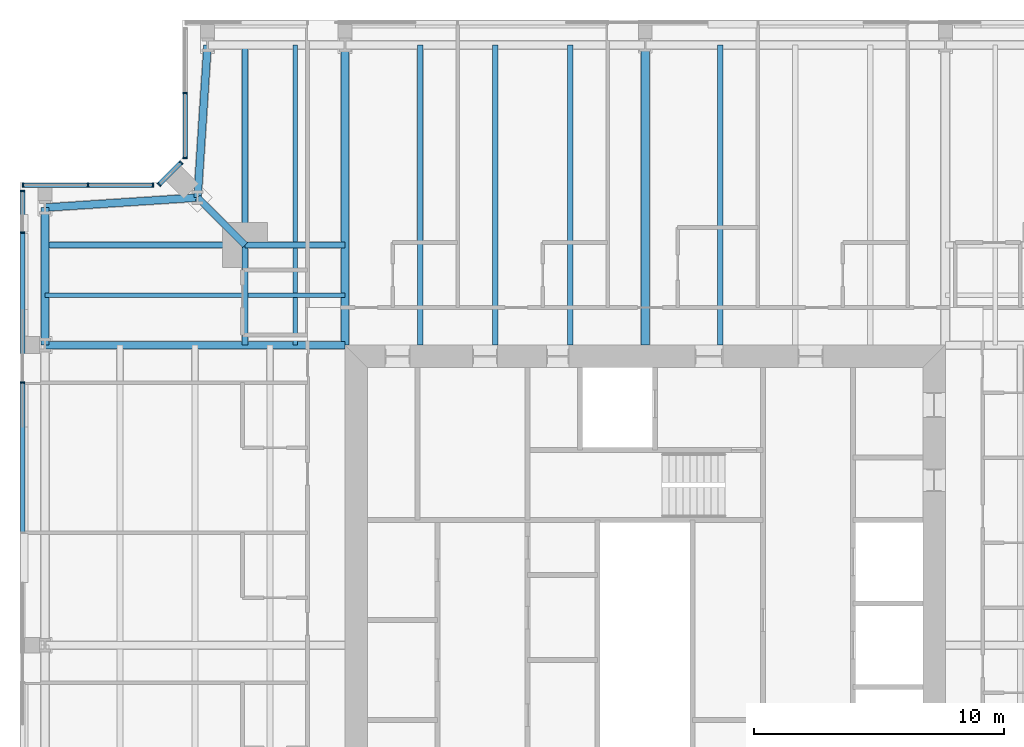
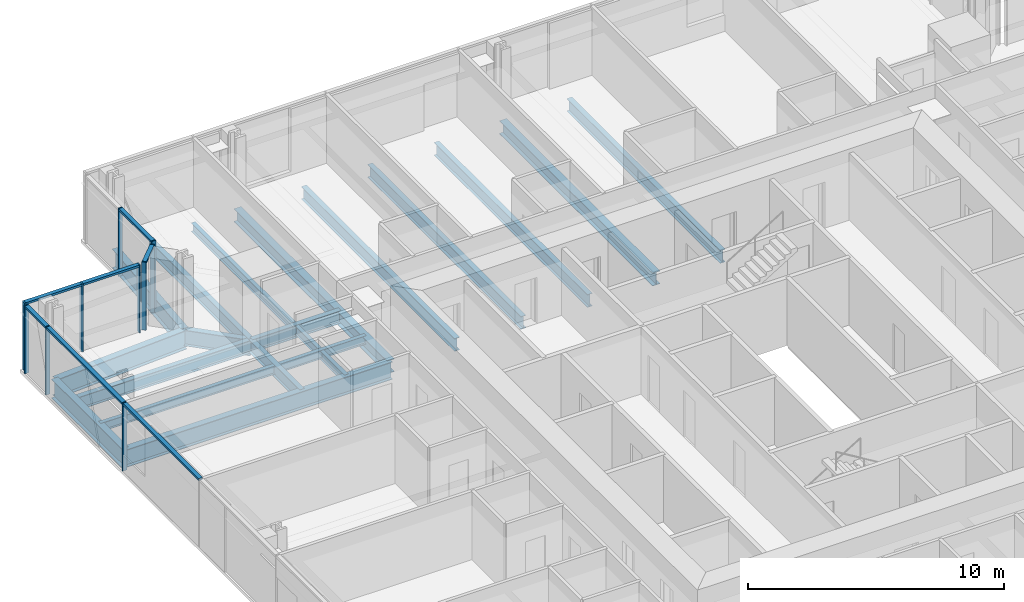
# One storey, part 7 of 20: 20 beams, 17 members, 4 elements without a shape of their own.
"""IFC4 building model written with IfcOpenShell, lengths in metres."""

from ifc_helpers import new_model, si_unit, direction, frame, origin, origin_2d, place, context, subcontext, project, spatial, rectangle, i_section, extrude, material, material_profile, profile_set, type_object, element, aggregate, save


model = new_model("IFC4")

# Units and contexts
model_context = context("Model", 3, precision=1e-05, world=origin(), true_north=direction((0.0, 1.0)))
body_context = subcontext(model_context, "Body", "Model", "MODEL_VIEW")
ifc_project = project(units=[si_unit("LENGTHUNIT", "METRE"), si_unit("AREAUNIT", "SQUARE_METRE"), si_unit("VOLUMEUNIT", "CUBIC_METRE"), si_unit("PLANEANGLEUNIT", "RADIAN"), si_unit("MASSUNIT", "GRAM", prefix="KILO")], contexts=[model_context])

# Site, building, storey
site_placement = place(None, origin())
site = spatial("IfcSite", under=ifc_project, at=site_placement, CompositionType="ELEMENT")
building_placement = place(site_placement, origin())
building = spatial("IfcBuilding", under=site, at=building_placement, Name="Fenwick Lantern Interchange", CompositionType="ELEMENT")
storey_placement = place(building_placement, frame((0.0, 0.0, 245.800048828125)))
storey = spatial("IfcBuildingStorey", under=building, at=storey_placement, Name="L57", CompositionType="ELEMENT", Elevation=245.800048828125)

# Beams
ifc_material_1 = material(Name="Steel ASTM A992 Grade 50", Category="steel")
ifc_material_profile_1 = material_profile(ifc_material_1, i_section(OverallWidth=0.3046875, OverallDepth=0.911865234375, WebThickness=0.015869140625, FlangeThickness=0.02392578125, at=origin_2d()), Name="W36X150")
ifc_profile_set_1 = profile_set([ifc_material_profile_1], Name="Steel ASTM A992 Grade 50")
beam_type_1 = type_object("IfcBeamType", Name="EDGE BEAM W36X150", PredefinedType="SPANDREL", material=ifc_profile_set_1)
for number, where, z_axis, x_axis, name in (
    (1, (7.5, 49.0, -0.60595703125), (-0.065416293237, -0.997858060337, 0.0), (0.997858060337, -0.065416293237, 0.0), "L57/FR/N/EBR1"),
    (2, (7.10009765625, 42.89990234375, -0.60595703125), (-0.997858060337, -0.065416293237, 0.0), (0.065416293237, -0.997858060337, 0.0), "L57/FR/N/EBR2"),
):
    element("IfcBeam", number, at=place(storey_placement, frame(where, z_axis=z_axis, x_axis=x_axis)), inside=storey, type_object=beam_type_1, Name=name, PredefinedType="SPANDREL", context=body_context, shape_type="SweptSolid", body=[
        extrude(i_section(OverallWidth=0.3046875, OverallDepth=0.911865234375, WebThickness=0.015869140625, FlangeThickness=0.02392578125, at=origin_2d()), origin(), (0.0, 0.0, 1.0), 6.11328125),
    ])
beam_1_placement = place(storey_placement, frame((1.0, 42.5, -0.60595703125), z_axis=(0.0, -1.0, 0.0), x_axis=(1.0, 0.0, 0.0)))
element("IfcBeam", 3, at=beam_1_placement, inside=storey, type_object=beam_type_1, Name="L57/FR/W/EB1", PredefinedType="SPANDREL", context=body_context, shape_type="SweptSolid", body=[
    extrude(i_section(OverallWidth=0.3046875, OverallDepth=0.911865234375, WebThickness=0.015869140625, FlangeThickness=0.02392578125, at=origin_2d()), origin(), (0.0, 0.0, 1.0), 5.5),
])
ifc_material_profile_2 = material_profile(ifc_material_1, i_section(OverallWidth=0.22900390625, OverallDepth=0.612060546875, WebThickness=0.011962890625, FlangeThickness=0.01953125, at=origin_2d()), Name="W24X84")
ifc_profile_set_2 = profile_set([ifc_material_profile_2], Name="Steel ASTM A992 Grade 50")
beam_type_2 = type_object("IfcBeamType", Name="FLOOR BEAM W24X84", PredefinedType="BEAM", material=ifc_profile_set_2)
for number, where, z_axis, x_axis, name in (
    (4, (28.0, 49.0, -0.4560546875), (0.0, -1.0, 0.0), (1.0, 0.0, 0.0), "L57/FR/N/R04"),
    (5, (22.0, 49.0, -0.4560546875), (0.0, -1.0, 0.0), (1.0, 0.0, 0.0), "L57/FR/N/R06"),
    (6, (19.0, 49.0, -0.4560546875), (0.0, -1.0, 0.0), (1.0, 0.0, 0.0), "L57/FR/N/R07"),
    (7, (16.0, 49.0, -0.4560546875), (0.0, -1.0, 0.0), (1.0, 0.0, 0.0), "L57/FR/N/R08"),
):
    element("IfcBeam", number, at=place(storey_placement, frame(where, z_axis=z_axis, x_axis=x_axis)), inside=storey, type_object=beam_type_2, Name=name, PredefinedType="BEAM", context=body_context, shape_type="SweptSolid", body=[
        extrude(i_section(OverallWidth=0.22900390625, OverallDepth=0.612060546875, WebThickness=0.011962890625, FlangeThickness=0.01953125, at=origin_2d()), origin(), (0.0, 0.0, 1.0), 12.0),
    ])

# Curtain wall, members
ifc_material_2 = material(Name="Aluminium curtain wall frame", Category="aluminium")
curtain_wall_type = type_object("IfcCurtainWallType", Name="HOTEL CURTAIN WALL", PredefinedType="USERDEFINED", material=ifc_material_2)
curtain_wall_1_placement = place(storey_placement, origin())
curtain_wall_1 = element("IfcCurtainWall", 8, at=curtain_wall_1_placement, inside=storey, type_object=curtain_wall_type, Name="Hotel curtain wall 10", ObjectType="HOTEL CURTAIN WALL", PredefinedType="USERDEFINED")
ifc_material_3 = material(Name="Aluminium extrusion", Category="aluminium")
ifc_material_profile_3 = material_profile(ifc_material_3, rectangle(XDim=0.179931640625, YDim=0.06005859375, at=origin_2d()), Name="HOTEL CURTAIN WALL MULLION 60 X 180")
ifc_profile_set_3 = profile_set([ifc_material_profile_3], Name="Aluminium extrusion")
member_type_1 = type_object("IfcMemberType", Name="HOTEL CURTAIN WALL MULLION 60 X 180", PredefinedType="MULLION", material=ifc_profile_set_3)
member_1_placement = place(storey_placement, frame((6.60009765625, 47.079345703125, 0.0), z_axis=(0.0, 0.0, 1.0), x_axis=(1.0, 0.0, 0.0)))
member_1 = element("IfcMember", 9, at=member_1_placement, type_object=member_type_1, Name="L57/CW/10/M01", PredefinedType="MULLION", context=body_context, shape_type="SweptSolid", body=[
    extrude(rectangle(XDim=0.179931640625, YDim=0.06005859375, at=origin_2d()), origin(), (0.0, 0.0, 1.0), 3.25),
])
member_2_placement = place(storey_placement, frame((6.60009765625, 44.488525390625, 0.0), z_axis=(0.0, 0.0, 1.0), x_axis=(1.0, 0.0, 0.0)))
member_2 = element("IfcMember", 10, at=member_2_placement, type_object=member_type_1, Name="L57/CW/10/M02", PredefinedType="MULLION", context=body_context, shape_type="SweptSolid", body=[
    extrude(rectangle(XDim=0.179931640625, YDim=0.06005859375, at=origin_2d()), origin(), (0.0, 0.0, 1.0), 3.25),
])

curtain_wall_2_placement = place(storey_placement, origin())
curtain_wall_2 = element("IfcCurtainWall", 11, at=curtain_wall_2_placement, inside=storey, type_object=curtain_wall_type, Name="Hotel curtain wall 11", ObjectType="HOTEL CURTAIN WALL", PredefinedType="USERDEFINED")
member_3_placement = place(storey_placement, frame((6.437255859375, 44.2958984375, 0.0), z_axis=(0.0, 0.0, 1.0), x_axis=(0.707106781187, -0.707106781187, 0.0)))
member_3 = element("IfcMember", 12, at=member_3_placement, type_object=member_type_1, Name="L57/CW/11/M00", PredefinedType="MULLION", context=body_context, shape_type="SweptSolid", body=[
    extrude(rectangle(XDim=0.179931640625, YDim=0.06005859375, at=origin_2d()), origin(), (0.0, 0.0, 1.0), 3.25),
])
member_4_placement = place(storey_placement, frame((5.562744140625, 43.421142578125, 0.0), z_axis=(0.0, 0.0, 1.0), x_axis=(0.707106781187, -0.707106781187, 0.0)))
member_4 = element("IfcMember", 13, at=member_4_placement, type_object=member_type_1, Name="L57/CW/11/M01", PredefinedType="MULLION", context=body_context, shape_type="SweptSolid", body=[
    extrude(rectangle(XDim=0.179931640625, YDim=0.06005859375, at=origin_2d()), origin(), (0.0, 0.0, 1.0), 3.25),
])

curtain_wall_3_placement = place(storey_placement, origin())
curtain_wall_3 = element("IfcCurtainWall", 14, at=curtain_wall_3_placement, inside=storey, type_object=curtain_wall_type, Name="Hotel curtain wall 12", ObjectType="HOTEL CURTAIN WALL", PredefinedType="USERDEFINED")
member_5_placement = place(storey_placement, frame((5.3115234375, 43.39990234375, 0.0), z_axis=(0.0, 0.0, 1.0), x_axis=(0.0, -1.0, 0.0)))
member_5 = element("IfcMember", 15, at=member_5_placement, type_object=member_type_1, Name="L57/CW/12/M00", PredefinedType="MULLION", context=body_context, shape_type="SweptSolid", body=[
    extrude(rectangle(XDim=0.179931640625, YDim=0.06005859375, at=origin_2d()), origin(), (0.0, 0.0, 1.0), 3.25),
])
member_6_placement = place(storey_placement, frame((2.720703125, 43.39990234375, 0.0), z_axis=(0.0, 0.0, 1.0), x_axis=(0.0, -1.0, 0.0)))
member_6 = element("IfcMember", 16, at=member_6_placement, type_object=member_type_1, Name="L57/CW/12/M01", PredefinedType="MULLION", context=body_context, shape_type="SweptSolid", body=[
    extrude(rectangle(XDim=0.179931640625, YDim=0.06005859375, at=origin_2d()), origin(), (0.0, 0.0, 1.0), 3.25),
])
member_7_placement = place(storey_placement, frame((0.1298828125, 43.39990234375, 0.0), z_axis=(0.0, 0.0, 1.0), x_axis=(0.0, -1.0, 0.0)))
member_7 = element("IfcMember", 17, at=member_7_placement, type_object=member_type_1, Name="L57/CW/12/M02", PredefinedType="MULLION", context=body_context, shape_type="SweptSolid", body=[
    extrude(rectangle(XDim=0.179931640625, YDim=0.06005859375, at=origin_2d()), origin(), (0.0, 0.0, 1.0), 3.25),
])

curtain_wall_4_placement = place(storey_placement, origin())
curtain_wall_4 = element("IfcCurtainWall", 18, at=curtain_wall_4_placement, inside=storey, type_object=curtain_wall_type, Name="Hotel curtain wall 13", ObjectType="HOTEL CURTAIN WALL", PredefinedType="USERDEFINED")
member_8_placement = place(storey_placement, frame((0.10009765625, 43.169921875, 0.0), z_axis=(0.0, 0.0, 1.0), x_axis=(1.0, 0.0, 0.0)))
member_8 = element("IfcMember", 19, at=member_8_placement, type_object=member_type_1, Name="L57/CW/13/M00", PredefinedType="MULLION", context=body_context, shape_type="SweptSolid", body=[
    extrude(rectangle(XDim=0.179931640625, YDim=0.06005859375, at=origin_2d()), origin(), (0.0, 0.0, 1.0), 3.25),
])
member_9_placement = place(storey_placement, frame((0.10009765625, 41.5, 0.0), z_axis=(0.0, 0.0, 1.0), x_axis=(1.0, 0.0, 0.0)))
member_9 = element("IfcMember", 20, at=member_9_placement, type_object=member_type_1, Name="L57/CW/13/M01", PredefinedType="MULLION", context=body_context, shape_type="SweptSolid", body=[
    extrude(rectangle(XDim=0.179931640625, YDim=0.06005859375, at=origin_2d()), origin(), (0.0, 0.0, 1.0), 3.25),
])
member_10_placement = place(storey_placement, frame((0.10009765625, 35.5, 0.0), z_axis=(0.0, 0.0, 1.0), x_axis=(1.0, 0.0, 0.0)))
member_10 = element("IfcMember", 21, at=member_10_placement, type_object=member_type_1, Name="L57/CW/13/M02", PredefinedType="MULLION", context=body_context, shape_type="SweptSolid", body=[
    extrude(rectangle(XDim=0.179931640625, YDim=0.06005859375, at=origin_2d()), origin(), (0.0, 0.0, 1.0), 3.25),
])

# Member
ifc_material_profile_4 = material_profile(ifc_material_3, rectangle(XDim=0.179931640625, YDim=0.10009765625, at=origin_2d()), Name="HOTEL CURTAIN WALL TRANSOM 100 X 180")
ifc_profile_set_4 = profile_set([ifc_material_profile_4], Name="Aluminium extrusion")
member_type_2 = type_object("IfcMemberType", Name="HOTEL CURTAIN WALL TRANSOM 100 X 180", PredefinedType="MULLION", material=ifc_profile_set_4)
member_11_placement = place(storey_placement, frame((6.60009765625, 47.04931640625, 3.199951171875), z_axis=(0.0, -1.0, 0.0), x_axis=(1.0, 0.0, 0.0)))
member_11 = element("IfcMember", 22, at=member_11_placement, type_object=member_type_2, Name="L57/CW/10/T01", PredefinedType="MULLION", context=body_context, shape_type="SweptSolid", body=[
    extrude(rectangle(XDim=0.179931640625, YDim=0.10009765625, at=origin_2d()), origin(), (0.0, 0.0, 1.0), 2.53076171875),
])

aggregate(curtain_wall_1, [member_1, member_2, member_11])

member_12_placement = place(storey_placement, frame((6.416259765625, 44.274658203125, 3.199951171875), z_axis=(-0.707210470133, -0.707003077033, 0.0), x_axis=(0.707003077033, -0.707210470133, 0.0)))
member_12 = element("IfcMember", 23, at=member_12_placement, type_object=member_type_2, Name="L57/CW/11/T00", PredefinedType="MULLION", context=body_context, shape_type="SweptSolid", body=[
    extrude(rectangle(XDim=0.179931640625, YDim=0.10009765625, at=origin_2d()), origin(), (0.0, 0.0, 1.0), 1.17724609375),
])

aggregate(curtain_wall_2, [member_3, member_4, member_12])

member_13_placement = place(storey_placement, frame((5.281494140625, 43.39990234375, 3.199951171875), z_axis=(-1.0, 0.0, 0.0), x_axis=(0.0, -1.0, 0.0)))
member_13 = element("IfcMember", 24, at=member_13_placement, type_object=member_type_2, Name="L57/CW/12/T00", PredefinedType="MULLION", context=body_context, shape_type="SweptSolid", body=[
    extrude(rectangle(XDim=0.179931640625, YDim=0.10009765625, at=origin_2d()), origin(), (0.0, 0.0, 1.0), 2.53076171875),
])

member_14_placement = place(storey_placement, frame((2.690673828125, 43.39990234375, 3.199951171875), z_axis=(-1.0, 0.0, 0.0), x_axis=(0.0, -1.0, 0.0)))
member_14 = element("IfcMember", 25, at=member_14_placement, type_object=member_type_2, Name="L57/CW/12/T01", PredefinedType="MULLION", context=body_context, shape_type="SweptSolid", body=[
    extrude(rectangle(XDim=0.179931640625, YDim=0.10009765625, at=origin_2d()), origin(), (0.0, 0.0, 1.0), 2.53076171875),
])

aggregate(curtain_wall_3, [member_5, member_6, member_7, member_13, member_14])

member_15_placement = place(storey_placement, frame((0.10009765625, 43.139892578125, 3.199951171875), z_axis=(0.0, -1.0, 0.0), x_axis=(1.0, 0.0, 0.0)))
member_15 = element("IfcMember", 26, at=member_15_placement, type_object=member_type_2, Name="L57/CW/13/T00", PredefinedType="MULLION", context=body_context, shape_type="SweptSolid", body=[
    extrude(rectangle(XDim=0.179931640625, YDim=0.10009765625, at=origin_2d()), origin(), (0.0, 0.0, 1.0), 1.60986328125),
])

member_16_placement = place(storey_placement, frame((0.10009765625, 41.469970703125, 3.199951171875), z_axis=(0.0, -1.0, 0.0), x_axis=(1.0, 0.0, 0.0)))
member_16 = element("IfcMember", 27, at=member_16_placement, type_object=member_type_2, Name="L57/CW/13/T01", PredefinedType="MULLION", context=body_context, shape_type="SweptSolid", body=[
    extrude(rectangle(XDim=0.179931640625, YDim=0.10009765625, at=origin_2d()), origin(), (0.0, 0.0, 1.0), 5.93994140625),
])

member_17_placement = place(storey_placement, frame((0.10009765625, 35.469970703125, 3.199951171875), z_axis=(0.0, -1.0, 0.0), x_axis=(1.0, 0.0, 0.0)))
member_17 = element("IfcMember", 28, at=member_17_placement, type_object=member_type_2, Name="L57/CW/13/T02", PredefinedType="MULLION", context=body_context, shape_type="SweptSolid", body=[
    extrude(rectangle(XDim=0.179931640625, YDim=0.10009765625, at=origin_2d()), origin(), (0.0, 0.0, 1.0), 5.93994140625),
])

aggregate(curtain_wall_4, [member_8, member_9, member_10, member_15, member_16, member_17])

# Beams
ifc_material_profile_5 = material_profile(ifc_material_1, i_section(OverallWidth=0.177734375, OverallDepth=0.406494140625, WebThickness=0.0078125, FlangeThickness=0.012939453125, at=origin_2d()), Name="W16X40")
ifc_profile_set_5 = profile_set([ifc_material_profile_5], Name="Steel ASTM A992 Grade 50")
beam_type_3 = type_object("IfcBeamType", Name="INFILL BEAM W16X40", PredefinedType="JOIST", material=ifc_profile_set_5)
beam_2_placement = place(storey_placement, frame((1.0, 39.0, -0.353271484375), z_axis=(1.0, 0.0, 0.0), x_axis=(0.0, 1.0, 0.0)))
element("IfcBeam", 29, at=beam_2_placement, inside=storey, type_object=beam_type_3, Name="L57/FR/W/J1", PredefinedType="JOIST", context=body_context, shape_type="SweptSolid", body=[
    extrude(i_section(OverallWidth=0.177734375, OverallDepth=0.406494140625, WebThickness=0.0078125, FlangeThickness=0.012939453125, at=origin_2d()), origin(), (0.0, 0.0, 1.0), 7.885498046875),
])
beam_3_placement = place(storey_placement, frame((9.114501953125, 39.0, -0.353271484375), z_axis=(1.0, 0.0, 0.0), x_axis=(0.0, 1.0, 0.0)))
element("IfcBeam", 30, at=beam_3_placement, inside=storey, type_object=beam_type_3, Name="L57/FR/W/J2", PredefinedType="JOIST", context=body_context, shape_type="SweptSolid", body=[
    extrude(i_section(OverallWidth=0.177734375, OverallDepth=0.406494140625, WebThickness=0.0078125, FlangeThickness=0.012939453125, at=origin_2d()), origin(), (0.0, 0.0, 1.0), 3.885498046875),
])
beam_4_placement = place(storey_placement, frame((11.0, 49.0, -0.353271484375), z_axis=(0.0, -1.0, 0.0), x_axis=(1.0, 0.0, 0.0)))
element("IfcBeam", 31, at=beam_4_placement, inside=storey, type_object=beam_type_3, Name="L57/FR/W/J3", PredefinedType="JOIST", context=body_context, shape_type="SweptSolid", body=[
    extrude(i_section(OverallWidth=0.177734375, OverallDepth=0.406494140625, WebThickness=0.0078125, FlangeThickness=0.012939453125, at=origin_2d()), origin(), (0.0, 0.0, 1.0), 7.885498046875),
])
beam_5_placement = place(storey_placement, frame((11.0, 40.885498046875, -0.353271484375), z_axis=(0.0, -1.0, 0.0), x_axis=(1.0, 0.0, 0.0)))
element("IfcBeam", 32, at=beam_5_placement, inside=storey, type_object=beam_type_3, Name="L57/FR/W/J4", PredefinedType="JOIST", context=body_context, shape_type="SweptSolid", body=[
    extrude(i_section(OverallWidth=0.177734375, OverallDepth=0.406494140625, WebThickness=0.0078125, FlangeThickness=0.012939453125, at=origin_2d()), origin(), (0.0, 0.0, 1.0), 1.796630859375),
])
beam_6_placement = place(storey_placement, frame((11.0, 38.9111328125, -0.353271484375), z_axis=(0.0, -1.0, 0.0), x_axis=(1.0, 0.0, 0.0)))
element("IfcBeam", 33, at=beam_6_placement, inside=storey, type_object=beam_type_3, Name="L57/FR/W/J5", PredefinedType="JOIST", context=body_context, shape_type="SweptSolid", body=[
    extrude(i_section(OverallWidth=0.177734375, OverallDepth=0.406494140625, WebThickness=0.0078125, FlangeThickness=0.012939453125, at=origin_2d()), origin(), (0.0, 0.0, 1.0), 1.9111328125),
])
ifc_material_profile_6 = material_profile(ifc_material_1, i_section(OverallWidth=0.22900390625, OverallDepth=0.612060546875, WebThickness=0.011962890625, FlangeThickness=0.01953125, at=origin_2d()), Name="W24X84")
ifc_profile_set_6 = profile_set([ifc_material_profile_6], Name="Steel ASTM A992 Grade 50")
beam_type_4 = type_object("IfcBeamType", Name="MEGA COLUMN BEAM W24X84", PredefinedType="BEAM", material=ifc_profile_set_6)
for number, where, z_axis, x_axis, name in (
    (34, (9.0, 41.0, -0.4560546875), (-1.0, 0.0, 0.0), (0.0, -1.0, 0.0), "L57/FR/W/MB1"),
    (35, (9.0, 41.0, -0.4560546875), (0.0, 1.0, 0.0), (-1.0, 0.0, 0.0), "L57/FR/W/MB2"),
):
    element("IfcBeam", number, at=place(storey_placement, frame(where, z_axis=z_axis, x_axis=x_axis)), inside=storey, type_object=beam_type_4, Name=name, PredefinedType="BEAM", context=body_context, shape_type="SweptSolid", body=[
        extrude(i_section(OverallWidth=0.22900390625, OverallDepth=0.612060546875, WebThickness=0.011962890625, FlangeThickness=0.01953125, at=origin_2d()), origin(), (0.0, 0.0, 1.0), 8.0),
    ])
for number, where, z_axis, x_axis, name in (
    (36, (9.0, 41.0, -0.4560546875), (0.0, -1.0, 0.0), (1.0, 0.0, 0.0), "L57/FR/W/MB3"),
    (37, (9.0, 41.0, -0.4560546875), (1.0, 0.0, 0.0), (0.0, 1.0, 0.0), "L57/FR/W/MB4"),
):
    element("IfcBeam", number, at=place(storey_placement, frame(where, z_axis=z_axis, x_axis=x_axis)), inside=storey, type_object=beam_type_4, Name=name, PredefinedType="BEAM", context=body_context, shape_type="SweptSolid", body=[
        extrude(i_section(OverallWidth=0.22900390625, OverallDepth=0.612060546875, WebThickness=0.011962890625, FlangeThickness=0.01953125, at=origin_2d()), origin(), (0.0, 0.0, 1.0), 4.0),
    ])
ifc_material_profile_7 = material_profile(ifc_material_1, i_section(OverallWidth=0.32763671875, OverallDepth=0.622314453125, WebThickness=0.015380859375, FlangeThickness=0.0244140625, at=origin_2d()), Name="W24X131")
ifc_profile_set_7 = profile_set([ifc_material_profile_7], Name="Steel ASTM A992 Grade 50")
beam_type_5 = type_object("IfcBeamType", Name="MOMENT-CONNECTED GIRDER W24X131", PredefinedType="BEAM", material=ifc_profile_set_7)
for number, where, z_axis, x_axis, name in (
    (38, (25.0, 49.0, -0.461181640625), (0.0, -1.0, 0.0), (1.0, 0.0, 0.0), "L57/FR/N/R05"),
    (39, (13.0, 49.0, -0.461181640625), (0.0, -1.0, 0.0), (1.0, 0.0, 0.0), "L57/FR/N/R09"),
):
    element("IfcBeam", number, at=place(storey_placement, frame(where, z_axis=z_axis, x_axis=x_axis)), inside=storey, type_object=beam_type_5, Name=name, PredefinedType="BEAM", context=body_context, shape_type="SweptSolid", body=[
        extrude(i_section(OverallWidth=0.32763671875, OverallDepth=0.622314453125, WebThickness=0.015380859375, FlangeThickness=0.0244140625, at=origin_2d()), origin(), (0.0, 0.0, 1.0), 12.0),
    ])
ifc_material_profile_8 = material_profile(ifc_material_1, i_section(OverallWidth=0.2919921875, OverallDepth=0.845703125, WebThickness=0.015380859375, FlangeThickness=0.0244140625, at=origin_2d()), Name="W33X141")
ifc_profile_set_8 = profile_set([ifc_material_profile_8], Name="Steel ASTM A992 Grade 50")
beam_type_6 = type_object("IfcBeamType", Name="MOMENT-CONNECTED GIRDER W33X141", PredefinedType="BEAM", material=ifc_profile_set_8)
beam_7_placement = place(storey_placement, frame((1.0, 37.0, -0.572998046875), z_axis=(1.0, 0.0, 0.0), x_axis=(0.0, 1.0, 0.0)))
element("IfcBeam", 40, at=beam_7_placement, inside=storey, type_object=beam_type_6, Name="L57/FR/W/R01", PredefinedType="BEAM", context=body_context, shape_type="SweptSolid", body=[
    extrude(i_section(OverallWidth=0.2919921875, OverallDepth=0.845703125, WebThickness=0.015380859375, FlangeThickness=0.0244140625, at=origin_2d()), origin(), (0.0, 0.0, 1.0), 12.0),
])
ifc_material_profile_9 = material_profile(ifc_material_1, i_section(OverallWidth=0.2666015625, OverallDepth=0.7568359375, WebThickness=0.013916015625, FlangeThickness=0.019287109375, at=origin_2d()), Name="W30X108")
ifc_profile_set_9 = profile_set([ifc_material_profile_9], Name="Steel ASTM A992 Grade 50")
beam_type_7 = type_object("IfcBeamType", Name="NOTCH BEAM W30X108", PredefinedType="BEAM", material=ifc_profile_set_9)
beam_8_placement = place(storey_placement, frame((9.0, 41.0, -0.528564453125), z_axis=(-0.707106781187, 0.707106781187, 0.0), x_axis=(-0.707106781187, -0.707106781187, 0.0)))
element("IfcBeam", 41, at=beam_8_placement, inside=storey, type_object=beam_type_7, Name="L57/FR/W/TG", PredefinedType="BEAM", context=body_context, shape_type="SweptSolid", body=[
    extrude(i_section(OverallWidth=0.2666015625, OverallDepth=0.7568359375, WebThickness=0.013916015625, FlangeThickness=0.019287109375, at=origin_2d()), origin(), (0.0, 0.0, 1.0), 2.686767578125),
])

save(model, "model.ifc")
